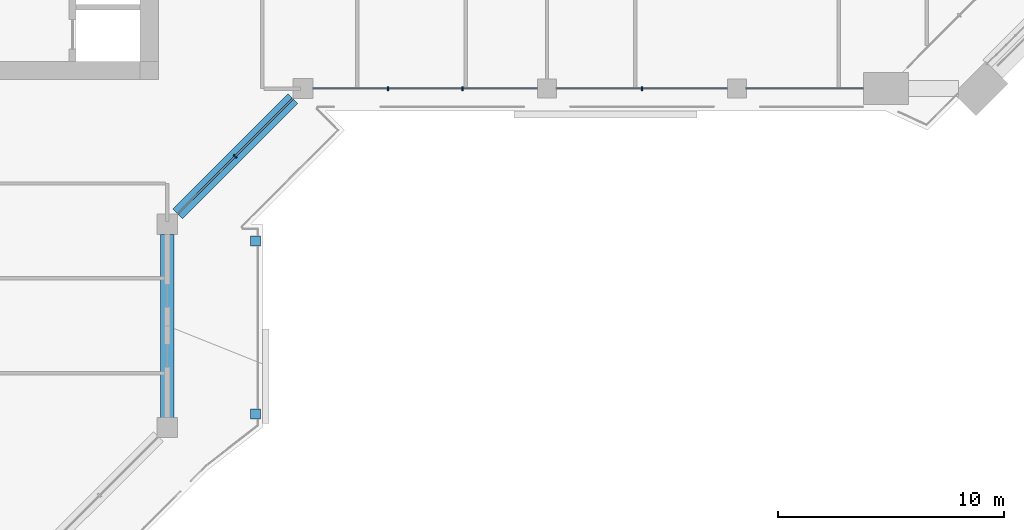
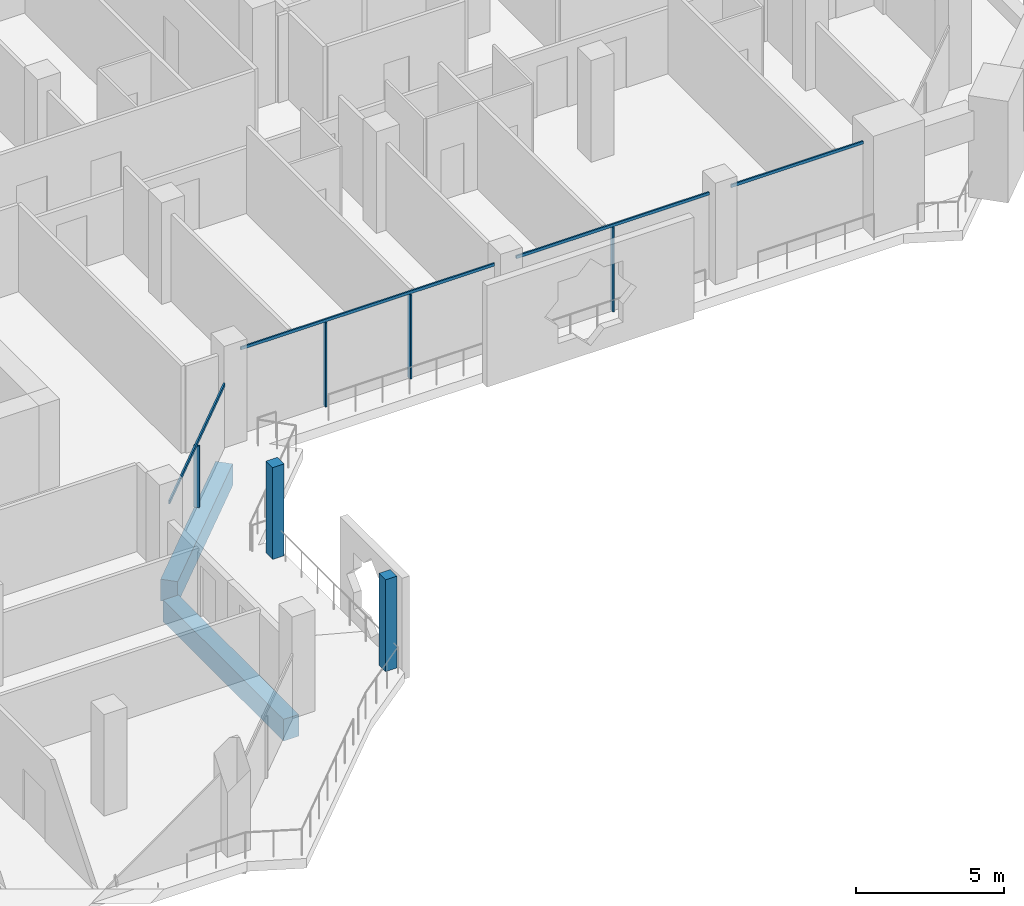
# One storey, part 4 of 21: 10 members, 2 beams, 3 elements without a shape of their own.
"""IFC4 building model written with IfcOpenShell, lengths in metres."""

from ifc_helpers import new_model, si_unit, direction, frame, origin, origin_2d, place, context, subcontext, project, spatial, rectangle, extrude, material, layer, layer_set, material_profile, profile_set, type_object, element, aggregate, save


model = new_model("IFC4")

# Units and contexts
model_context = context("Model", 3, precision=1e-05, world=origin(), true_north=direction((0.0, 1.0)))
body_context = subcontext(model_context, "Body", "Model", "MODEL_VIEW")
ifc_project = project(units=[si_unit("LENGTHUNIT", "METRE"), si_unit("AREAUNIT", "SQUARE_METRE"), si_unit("VOLUMEUNIT", "CUBIC_METRE"), si_unit("PLANEANGLEUNIT", "RADIAN"), si_unit("MASSUNIT", "GRAM", prefix="KILO")], contexts=[model_context])

# Site, building, storey
site_placement = place(None, origin())
site = spatial("IfcSite", under=ifc_project, at=site_placement, CompositionType="ELEMENT")
building_placement = place(site_placement, origin())
building = spatial("IfcBuilding", under=site, at=building_placement, Name="Kawkab Arch Medical Tower", CompositionType="ELEMENT")
storey_placement = place(building_placement, frame((0.0, 0.0, 230.60009765625)))
storey = spatial("IfcBuildingStorey", under=building, at=storey_placement, Name="L53", CompositionType="ELEMENT", Elevation=230.60009765625)

# Curtain wall, members
ifc_material_1 = material(Name="Bronze anodised aluminium curtain wall frame", Category="aluminium")
ifc_layer_1 = layer(ifc_material_1, 0.159912109375)
ifc_layer_set_1 = layer_set([ifc_layer_1], Name="Bronze anodised aluminium curtain wall frame")
curtain_wall_type_1 = type_object("IfcCurtainWallType", Name="CW1 ward curtain wall", PredefinedType="NOTDEFINED", material=ifc_layer_set_1)
placement = place(storey_placement, origin())
curtain_wall_1 = element("IfcCurtainWall", 1, at=placement, inside=storey, type_object=curtain_wall_type_1, Name="CW1 Ward curtain wall R07", PredefinedType="NOTDEFINED")
ifc_material_2 = material(Name="Bronze anodised aluminium curtain wall frame", Category="aluminium")
ifc_material_profile_1 = material_profile(ifc_material_2, rectangle(XDim=0.179931640625, YDim=0.06005859375, at=origin_2d()), Name="AL 60x180")
ifc_profile_set_1 = profile_set([ifc_material_profile_1], Name="Bronze anodised aluminium curtain wall frame")
member_type_1 = type_object("IfcMemberType", Name="CW1 mullion 60 x 180", PredefinedType="MULLION", material=ifc_profile_set_1)
member_1_placement = place(storey_placement, frame((34.958251953125, -25.199951171875, 0.0), z_axis=(0.0, 0.0, 1.0), x_axis=(0.0, 1.0, 0.0)))
member_1 = element("IfcMember", 2, at=member_1_placement, type_object=member_type_1, Name="CW1 mullion 1.1", PredefinedType="MULLION", context=body_context, shape_type="SweptSolid", body=[
    extrude(rectangle(XDim=0.179931640625, YDim=0.06005859375, at=origin_2d()), origin(), (0.0, 0.0, 1.0), 3.47998046875),
])
member_2_placement = place(storey_placement, frame((38.2666015625, -25.199951171875, 0.0), z_axis=(0.0, 0.0, 1.0), x_axis=(0.0, 1.0, 0.0)))
member_2 = element("IfcMember", 3, at=member_2_placement, type_object=member_type_1, Name="CW1 mullion 1.2", PredefinedType="MULLION", context=body_context, shape_type="SweptSolid", body=[
    extrude(rectangle(XDim=0.179931640625, YDim=0.06005859375, at=origin_2d()), origin(), (0.0, 0.0, 1.0), 3.47998046875),
])
member_3_placement = place(storey_placement, frame((46.199951171875, -25.199951171875, 0.0), z_axis=(0.0, 0.0, 1.0), x_axis=(0.0, 1.0, 0.0)))
member_3 = element("IfcMember", 4, at=member_3_placement, type_object=member_type_1, Name="CW1 mullion 2.1", PredefinedType="MULLION", context=body_context, shape_type="SweptSolid", body=[
    extrude(rectangle(XDim=0.179931640625, YDim=0.06005859375, at=origin_2d()), origin(), (0.0, 0.0, 1.0), 3.47998046875),
])
ifc_material_3 = material(Name="Bronze anodised aluminium curtain wall frame", Category="aluminium")
ifc_material_profile_2 = material_profile(ifc_material_3, rectangle(XDim=0.06005859375, YDim=0.1201171875, at=origin_2d()), Name="AL 60x120")
ifc_profile_set_2 = profile_set([ifc_material_profile_2], Name="Bronze anodised aluminium curtain wall frame")
member_type_2 = type_object("IfcMemberType", Name="CW1 transom 120 x 60", PredefinedType="USERDEFINED", material=ifc_profile_set_2)
member_4_placement = place(storey_placement, frame((31.64990234375, -25.199951171875, 3.539794921875), z_axis=(1.0, 0.0, 0.0), x_axis=(0.0, 1.0, 0.0)))
member_4 = element("IfcMember", 5, at=member_4_placement, type_object=member_type_2, Name="CW1 transom 1", ObjectType="TRANSOM", PredefinedType="USERDEFINED", context=body_context, shape_type="SweptSolid", body=[
    extrude(rectangle(XDim=0.06005859375, YDim=0.1201171875, at=origin_2d()), origin(), (0.0, 0.0, 1.0), 9.925048828125),
])
member_5_placement = place(storey_placement, frame((42.425048828125, -25.199951171875, 3.539794921875), z_axis=(1.0, 0.0, 0.0), x_axis=(0.0, 1.0, 0.0)))
member_5 = element("IfcMember", 6, at=member_5_placement, type_object=member_type_2, Name="CW1 transom 2", ObjectType="TRANSOM", PredefinedType="USERDEFINED", context=body_context, shape_type="SweptSolid", body=[
    extrude(rectangle(XDim=0.06005859375, YDim=0.1201171875, at=origin_2d()), origin(), (0.0, 0.0, 1.0), 7.550048828125),
])
member_6_placement = place(storey_placement, frame((50.824951171875, -25.199951171875, 3.539794921875), z_axis=(1.0, 0.0, 0.0), x_axis=(0.0, 1.0, 0.0)))
member_6 = element("IfcMember", 7, at=member_6_placement, type_object=member_type_2, Name="CW1 transom 3", ObjectType="TRANSOM", PredefinedType="USERDEFINED", context=body_context, shape_type="SweptSolid", body=[
    extrude(rectangle(XDim=0.06005859375, YDim=0.1201171875, at=origin_2d()), origin(), (0.0, 0.0, 1.0), 5.175048828125),
])
aggregate(curtain_wall_1, [member_4, member_1, member_2, member_5, member_3, member_6])

ifc_material_4 = material(Name="Bronze anodised aluminium curtain wall frame", Category="aluminium")
ifc_layer_2 = layer(ifc_material_4, 0.159912109375)
ifc_layer_set_2 = layer_set([ifc_layer_2], Name="Bronze anodised aluminium curtain wall frame")
curtain_wall_type_2 = type_object("IfcCurtainWallType", Name="CW2 chamfer curtain wall", PredefinedType="NOTDEFINED", material=ifc_layer_set_2)
curtain_wall_2 = element("IfcCurtainWall", 8, at=placement, inside=storey, type_object=curtain_wall_type_2, Name="CW2 Chamfer curtain wall R06", PredefinedType="NOTDEFINED")
ifc_material_5 = material(Name="Bronze anodised aluminium curtain wall frame", Category="aluminium")
ifc_material_profile_3 = material_profile(ifc_material_5, rectangle(XDim=0.199951171875, YDim=0.06005859375, at=origin_2d()), Name="AL 60x200")
ifc_profile_set_3 = profile_set([ifc_material_profile_3], Name="Bronze anodised aluminium curtain wall frame")
member_type_3 = type_object("IfcMemberType", Name="CW2 mullion 60 x 200", PredefinedType="MULLION", material=ifc_profile_set_3)
member_7_placement = place(storey_placement, frame((28.199951171875, -28.199951171875, 0.0), z_axis=(0.0, 0.0, 1.0), x_axis=(-0.707106781187, 0.707106781187, 0.0)))
member_7 = element("IfcMember", 9, at=member_7_placement, type_object=member_type_3, Name="CW2 mullion 1.1", PredefinedType="MULLION", context=body_context, shape_type="SweptSolid", body=[
    extrude(rectangle(XDim=0.199951171875, YDim=0.06005859375, at=origin_2d()), origin(), (0.0, 0.0, 1.0), 2.559814453125),
])
ifc_material_6 = material(Name="Bronze anodised aluminium curtain wall frame", Category="aluminium")
ifc_material_profile_4 = material_profile(ifc_material_6, rectangle(XDim=0.06005859375, YDim=0.139892578125, at=origin_2d()), Name="AL 60x140")
ifc_profile_set_4 = profile_set([ifc_material_profile_4], Name="Bronze anodised aluminium curtain wall frame")
member_type_4 = type_object("IfcMemberType", Name="CW2 transom 140 x 60", PredefinedType="USERDEFINED", material=ifc_profile_set_4)
member_8_placement = place(storey_placement, frame((25.64990234375, -30.75, 2.6298828125), z_axis=(0.707106781187, 0.707106781187, 0.0), x_axis=(-0.707106781187, 0.707106781187, 0.0)))
member_8 = element("IfcMember", 10, at=member_8_placement, type_object=member_type_4, Name="CW2 transom 1", ObjectType="TRANSOM", PredefinedType="USERDEFINED", context=body_context, shape_type="SweptSolid", body=[
    extrude(rectangle(XDim=0.06005859375, YDim=0.139892578125, at=origin_2d()), origin(), (0.0, 0.0, 1.0), 7.212646484375),
])
aggregate(curtain_wall_2, [member_8, member_7])

ifc_material_7 = material(Name="Bronze anodised aluminium climber frame, planted", Category="aluminium")
ifc_layer_3 = layer(ifc_material_7, 0.449951171875)
ifc_layer_set_3 = layer_set([ifc_layer_3], Name="Bronze anodised aluminium climber frame, planted")
curtain_wall_type_3 = type_object("IfcCurtainWallType", Name="Planted climber frame", PredefinedType="NOTDEFINED", material=ifc_layer_set_3)
curtain_wall_3 = element("IfcCurtainWall", 11, at=placement, inside=storey, type_object=curtain_wall_type_3, Name="Planted climber frame L53", PredefinedType="NOTDEFINED")
ifc_material_8 = material(Name="Bronze anodised aluminium climber frame, planted", Category="aluminium")
ifc_material_profile_5 = material_profile(ifc_material_8, rectangle(XDim=0.449951171875, YDim=0.449951171875, at=origin_2d()), Name="Post 450x450")
ifc_profile_set_5 = profile_set([ifc_material_profile_5], Name="Bronze anodised aluminium climber frame, planted")
member_type_5 = type_object("IfcMemberType", Name="Planted climber post 450 x 450", PredefinedType="MULLION", material=ifc_profile_set_5)
member_9_placement = place(storey_placement, frame((29.10009765625, -31.949951171875, 0.0), z_axis=(0.0, 0.0, 1.0), x_axis=(1.0, 0.0, 0.0)))
member_9 = element("IfcMember", 12, at=member_9_placement, type_object=member_type_5, Name="Planted climber post L53.LOG-01-01.1", PredefinedType="MULLION", context=body_context, shape_type="SweptSolid", body=[
    extrude(rectangle(XDim=0.449951171875, YDim=0.449951171875, at=origin_2d()), origin(), (0.0, 0.0, 1.0), 3.7998046875),
])
member_10_placement = place(storey_placement, frame((29.10009765625, -39.60302734375, 0.0), z_axis=(0.0, 0.0, 1.0), x_axis=(1.0, 0.0, 0.0)))
member_10 = element("IfcMember", 13, at=member_10_placement, type_object=member_type_5, Name="Planted climber post L53.LOG-01-01.2", PredefinedType="MULLION", context=body_context, shape_type="SweptSolid", body=[
    extrude(rectangle(XDim=0.449951171875, YDim=0.449951171875, at=origin_2d()), origin(), (0.0, 0.0, 1.0), 3.7998046875),
])
aggregate(curtain_wall_3, [member_9, member_10])

# Beams
ifc_material_9 = material(Name="Concrete C45/55", Category="concrete")
ifc_material_profile_6 = material_profile(ifc_material_9, rectangle(XDim=0.60009765625, YDim=0.89990234375, at=origin_2d()), Name="RC 600x900")
ifc_profile_set_6 = profile_set([ifc_material_profile_6], Name="Concrete C45/55")
beam_type = type_object("IfcBeamType", Name="RC 600x900 beam C45/55", PredefinedType="BEAM", material=ifc_profile_set_6)
beam_1_placement = place(storey_placement, frame((30.75, -25.64990234375, -1.050048828125), z_axis=(-0.707106781187, -0.707106781187, 0.0), x_axis=(0.707106781187, -0.707106781187, 0.0)))
element("IfcBeam", 14, at=beam_1_placement, inside=storey, type_object=beam_type, Name="Overhang edge beam L53-02", PredefinedType="BEAM", context=body_context, shape_type="SweptSolid", body=[
    extrude(rectangle(XDim=0.60009765625, YDim=0.89990234375, at=origin_2d()), origin(), (0.0, 0.0, 1.0), 7.212646484375),
])
beam_2_placement = place(storey_placement, frame((25.199951171875, -31.64990234375, -1.050048828125), z_axis=(0.0, -1.0, 0.0), x_axis=(1.0, 0.0, 0.0)))
element("IfcBeam", 15, at=beam_2_placement, inside=storey, type_object=beam_type, Name="Overhang edge beam L53-03", PredefinedType="BEAM", context=body_context, shape_type="SweptSolid", body=[
    extrude(rectangle(XDim=0.60009765625, YDim=0.89990234375, at=origin_2d()), origin(), (0.0, 0.0, 1.0), 8.150146484375),
])

save(model, "model.ifc")
